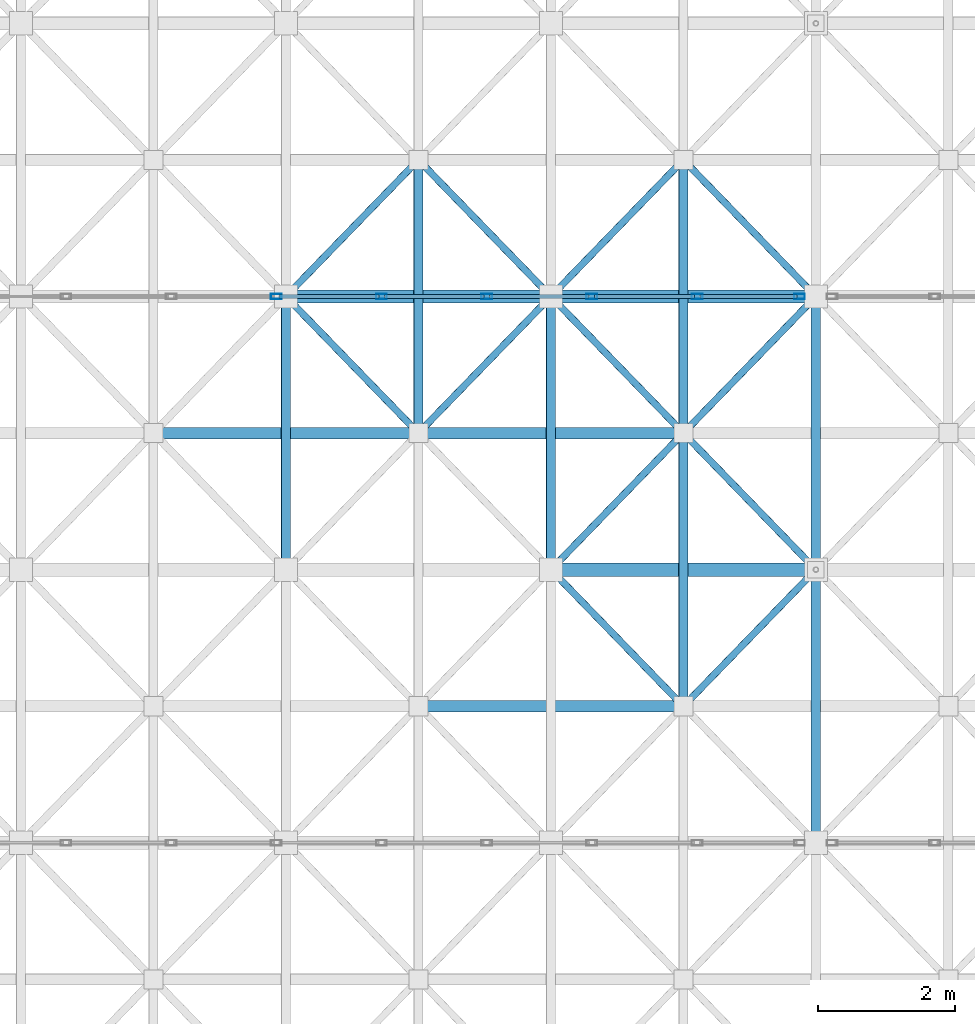
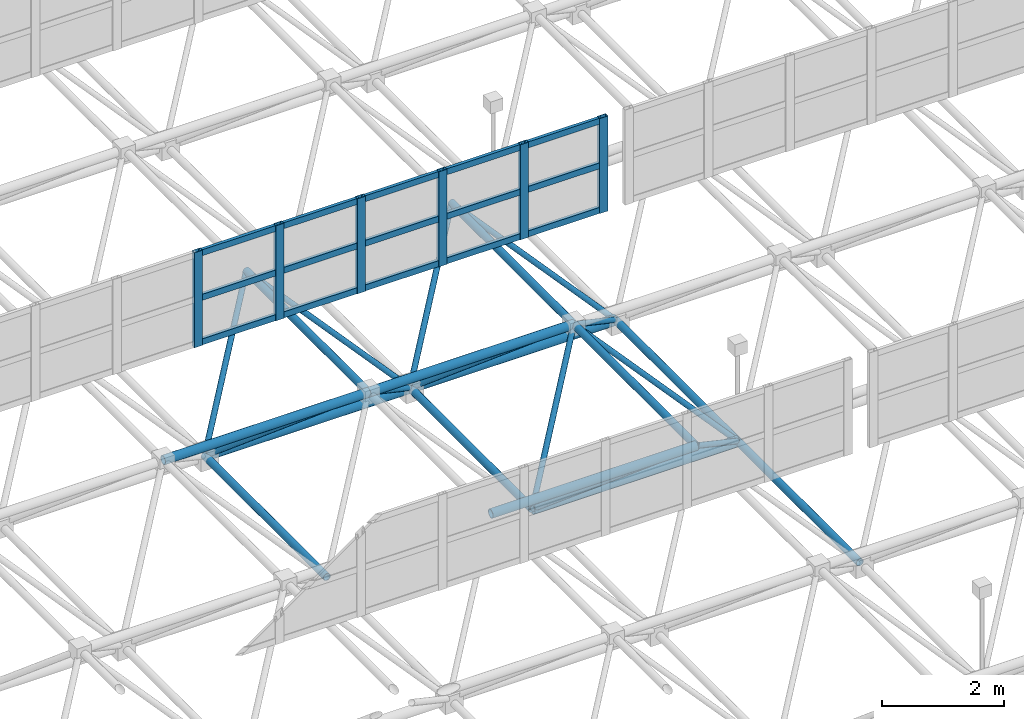
# One storey, part 56 of 195: 46 members, 1 element without a shape of its own.
"""IFC4 building model written with IfcOpenShell, lengths in metres."""

from ifc_helpers import new_model, si_unit, direction, frame, origin, origin_2d, place, context, subcontext, project, spatial, hollow_rectangle, hollow_circle, extrude, material, material_profile, profile_set, type_object, element, aggregate, save


model = new_model("IFC4")

# Units and contexts
model_context = context("Model", 3, precision=1e-05, world=origin(), true_north=direction((0.0, 1.0)))
body_context = subcontext(model_context, "Body", "Model", "MODEL_VIEW")
ifc_project = project(units=[si_unit("LENGTHUNIT", "METRE"), si_unit("AREAUNIT", "SQUARE_METRE"), si_unit("VOLUMEUNIT", "CUBIC_METRE"), si_unit("PLANEANGLEUNIT", "RADIAN"), si_unit("MASSUNIT", "GRAM", prefix="KILO")], contexts=[model_context])

# Site, building, storey
site_placement = place(None, origin())
site = spatial("IfcSite", under=ifc_project, at=site_placement, CompositionType="ELEMENT")
building_placement = place(site_placement, origin())
building = spatial("IfcBuilding", under=site, at=building_placement, Name="Kharva Crest Polytechnic", CompositionType="ELEMENT")
storey_placement = place(building_placement, frame((0.0, 0.0, 9.0)))
storey = spatial("IfcBuildingStorey", under=building, at=storey_placement, Name="L02", CompositionType="ELEMENT", Elevation=9.0)

# Curtain wall, members
ifc_material_1 = material(Name="Tempered insulated glass", Category="glass")
curtain_wall_type = type_object("IfcCurtainWallType", Name="CW-SYS-NORTHLIGHT", PredefinedType="USERDEFINED", material=ifc_material_1)
curtain_wall_placement = place(storey_placement, origin())
curtain_wall = element("IfcCurtainWall", 1, at=curtain_wall_placement, inside=storey, type_object=curtain_wall_type, Name="L02 Glazed Curtain Wall CW-193", ObjectType="CURTAIN WALL", PredefinedType="USERDEFINED")
ifc_material_2 = material(Name="Steel S355", Category="steel")
ifc_material_profile_1 = material_profile(ifc_material_2, hollow_rectangle(XDim=0.080078125, YDim=0.159912109375, WallThickness=0.0048828125, at=origin_2d()), Name="RHS 160X80X5.0")
ifc_profile_set_1 = profile_set([ifc_material_profile_1], Name="Steel S355")
member_type_1 = type_object("IfcMemberType", Name="CWM-RHS160X80", PredefinedType="MULLION", material=ifc_profile_set_1)
member_1_placement = place(storey_placement, frame((8.10009765625, 62.800048828125, 2.85009765625), z_axis=(0.0, 0.0, 1.0), x_axis=(0.0, 1.0, 0.0)))
member_1 = element("IfcMember", 2, at=member_1_placement, type_object=member_type_1, Name="CW-193 mullion 6", PredefinedType="MULLION", context=body_context, shape_type="SweptSolid", body=[
    extrude(hollow_rectangle(XDim=0.080078125, YDim=0.159912109375, WallThickness=0.0048828125, at=origin_2d()), origin(), (0.0, 0.0, 1.0), 1.89990234375),
])
member_2_placement = place(storey_placement, frame((9.639892578125, 62.800048828125, 2.85009765625), z_axis=(0.0, 0.0, 1.0), x_axis=(0.0, 1.0, 0.0)))
member_2 = element("IfcMember", 3, at=member_2_placement, type_object=member_type_1, Name="CW-193 mullion 7", PredefinedType="MULLION", context=body_context, shape_type="SweptSolid", body=[
    extrude(hollow_rectangle(XDim=0.080078125, YDim=0.159912109375, WallThickness=0.0048828125, at=origin_2d()), origin(), (0.0, 0.0, 1.0), 1.89990234375),
])
member_3_placement = place(storey_placement, frame((11.179931640625, 62.800048828125, 2.85009765625), z_axis=(0.0, 0.0, 1.0), x_axis=(0.0, 1.0, 0.0)))
member_3 = element("IfcMember", 4, at=member_3_placement, type_object=member_type_1, Name="CW-193 mullion 8", PredefinedType="MULLION", context=body_context, shape_type="SweptSolid", body=[
    extrude(hollow_rectangle(XDim=0.080078125, YDim=0.159912109375, WallThickness=0.0048828125, at=origin_2d()), origin(), (0.0, 0.0, 1.0), 1.89990234375),
])
member_4_placement = place(storey_placement, frame((12.719970703125, 62.800048828125, 2.85009765625), z_axis=(0.0, 0.0, 1.0), x_axis=(0.0, 1.0, 0.0)))
member_4 = element("IfcMember", 5, at=member_4_placement, type_object=member_type_1, Name="CW-193 mullion 9", PredefinedType="MULLION", context=body_context, shape_type="SweptSolid", body=[
    extrude(hollow_rectangle(XDim=0.080078125, YDim=0.159912109375, WallThickness=0.0048828125, at=origin_2d()), origin(), (0.0, 0.0, 1.0), 1.89990234375),
])
member_5_placement = place(storey_placement, frame((14.260009765625, 62.800048828125, 2.85009765625), z_axis=(0.0, 0.0, 1.0), x_axis=(0.0, 1.0, 0.0)))
member_5 = element("IfcMember", 6, at=member_5_placement, type_object=member_type_1, Name="CW-193 mullion 10", PredefinedType="MULLION", context=body_context, shape_type="SweptSolid", body=[
    extrude(hollow_rectangle(XDim=0.080078125, YDim=0.159912109375, WallThickness=0.0048828125, at=origin_2d()), origin(), (0.0, 0.0, 1.0), 1.89990234375),
])
member_6_placement = place(storey_placement, frame((15.760009765625, 62.800048828125, 2.85009765625), z_axis=(0.0, 0.0, 1.0), x_axis=(0.0, 1.0, 0.0)))
member_6 = element("IfcMember", 7, at=member_6_placement, type_object=member_type_1, Name="CW-193 mullion 11", PredefinedType="MULLION", context=body_context, shape_type="SweptSolid", body=[
    extrude(hollow_rectangle(XDim=0.080078125, YDim=0.159912109375, WallThickness=0.0048828125, at=origin_2d()), origin(), (0.0, 0.0, 1.0), 1.89990234375),
])
ifc_material_profile_2 = material_profile(ifc_material_2, hollow_rectangle(XDim=0.06005859375, YDim=0.1201171875, WallThickness=0.00390625, at=origin_2d()), Name="RHS 120X60X4.0")
ifc_profile_set_2 = profile_set([ifc_material_profile_2], Name="Steel S355")
member_type_2 = type_object("IfcMemberType", Name="CWT-RHS120X60", PredefinedType="USERDEFINED", material=ifc_profile_set_2)
member_7_placement = place(storey_placement, frame((8.139892578125, 62.800048828125, 2.909912109375), z_axis=(1.0, 0.0, 0.0), x_axis=(0.0, 1.0, 0.0)))
member_7 = element("IfcMember", 8, at=member_7_placement, type_object=member_type_2, Name="CW-193 transom 6.1", ObjectType="TRANSOM", PredefinedType="USERDEFINED", context=body_context, shape_type="SweptSolid", body=[
    extrude(hollow_rectangle(XDim=0.06005859375, YDim=0.1201171875, WallThickness=0.00390625, at=origin_2d()), origin(), (0.0, 0.0, 1.0), 1.460205078125),
])
member_8_placement = place(storey_placement, frame((8.139892578125, 62.800048828125, 3.800048828125), z_axis=(1.0, 0.0, 0.0), x_axis=(0.0, 1.0, 0.0)))
member_8 = element("IfcMember", 9, at=member_8_placement, type_object=member_type_2, Name="CW-193 transom 6.2", ObjectType="TRANSOM", PredefinedType="USERDEFINED", context=body_context, shape_type="SweptSolid", body=[
    extrude(hollow_rectangle(XDim=0.06005859375, YDim=0.1201171875, WallThickness=0.00390625, at=origin_2d()), origin(), (0.0, 0.0, 1.0), 1.460205078125),
])
member_9_placement = place(storey_placement, frame((8.139892578125, 62.800048828125, 4.68994140625), z_axis=(1.0, 0.0, 0.0), x_axis=(0.0, 1.0, 0.0)))
member_9 = element("IfcMember", 10, at=member_9_placement, type_object=member_type_2, Name="CW-193 transom 6.3", ObjectType="TRANSOM", PredefinedType="USERDEFINED", context=body_context, shape_type="SweptSolid", body=[
    extrude(hollow_rectangle(XDim=0.06005859375, YDim=0.1201171875, WallThickness=0.00390625, at=origin_2d()), origin(), (0.0, 0.0, 1.0), 1.460205078125),
])
member_10_placement = place(storey_placement, frame((9.679931640625, 62.800048828125, 2.909912109375), z_axis=(1.0, 0.0, 0.0), x_axis=(0.0, 1.0, 0.0)))
member_10 = element("IfcMember", 11, at=member_10_placement, type_object=member_type_2, Name="CW-193 transom 7.1", ObjectType="TRANSOM", PredefinedType="USERDEFINED", context=body_context, shape_type="SweptSolid", body=[
    extrude(hollow_rectangle(XDim=0.06005859375, YDim=0.1201171875, WallThickness=0.00390625, at=origin_2d()), origin(), (0.0, 0.0, 1.0), 1.4599609375),
])
member_11_placement = place(storey_placement, frame((9.679931640625, 62.800048828125, 3.800048828125), z_axis=(1.0, 0.0, 0.0), x_axis=(0.0, 1.0, 0.0)))
member_11 = element("IfcMember", 12, at=member_11_placement, type_object=member_type_2, Name="CW-193 transom 7.2", ObjectType="TRANSOM", PredefinedType="USERDEFINED", context=body_context, shape_type="SweptSolid", body=[
    extrude(hollow_rectangle(XDim=0.06005859375, YDim=0.1201171875, WallThickness=0.00390625, at=origin_2d()), origin(), (0.0, 0.0, 1.0), 1.4599609375),
])
member_12_placement = place(storey_placement, frame((9.679931640625, 62.800048828125, 4.68994140625), z_axis=(1.0, 0.0, 0.0), x_axis=(0.0, 1.0, 0.0)))
member_12 = element("IfcMember", 13, at=member_12_placement, type_object=member_type_2, Name="CW-193 transom 7.3", ObjectType="TRANSOM", PredefinedType="USERDEFINED", context=body_context, shape_type="SweptSolid", body=[
    extrude(hollow_rectangle(XDim=0.06005859375, YDim=0.1201171875, WallThickness=0.00390625, at=origin_2d()), origin(), (0.0, 0.0, 1.0), 1.4599609375),
])
member_13_placement = place(storey_placement, frame((11.219970703125, 62.800048828125, 2.909912109375), z_axis=(1.0, 0.0, 0.0), x_axis=(0.0, 1.0, 0.0)))
member_13 = element("IfcMember", 14, at=member_13_placement, type_object=member_type_2, Name="CW-193 transom 8.1", ObjectType="TRANSOM", PredefinedType="USERDEFINED", context=body_context, shape_type="SweptSolid", body=[
    extrude(hollow_rectangle(XDim=0.06005859375, YDim=0.1201171875, WallThickness=0.00390625, at=origin_2d()), origin(), (0.0, 0.0, 1.0), 1.4599609375),
])
member_14_placement = place(storey_placement, frame((11.219970703125, 62.800048828125, 3.800048828125), z_axis=(1.0, 0.0, 0.0), x_axis=(0.0, 1.0, 0.0)))
member_14 = element("IfcMember", 15, at=member_14_placement, type_object=member_type_2, Name="CW-193 transom 8.2", ObjectType="TRANSOM", PredefinedType="USERDEFINED", context=body_context, shape_type="SweptSolid", body=[
    extrude(hollow_rectangle(XDim=0.06005859375, YDim=0.1201171875, WallThickness=0.00390625, at=origin_2d()), origin(), (0.0, 0.0, 1.0), 1.4599609375),
])
member_15_placement = place(storey_placement, frame((11.219970703125, 62.800048828125, 4.68994140625), z_axis=(1.0, 0.0, 0.0), x_axis=(0.0, 1.0, 0.0)))
member_15 = element("IfcMember", 16, at=member_15_placement, type_object=member_type_2, Name="CW-193 transom 8.3", ObjectType="TRANSOM", PredefinedType="USERDEFINED", context=body_context, shape_type="SweptSolid", body=[
    extrude(hollow_rectangle(XDim=0.06005859375, YDim=0.1201171875, WallThickness=0.00390625, at=origin_2d()), origin(), (0.0, 0.0, 1.0), 1.4599609375),
])
member_16_placement = place(storey_placement, frame((12.760009765625, 62.800048828125, 2.909912109375), z_axis=(1.0, 0.0, 0.0), x_axis=(0.0, 1.0, 0.0)))
member_16 = element("IfcMember", 17, at=member_16_placement, type_object=member_type_2, Name="CW-193 transom 9.1", ObjectType="TRANSOM", PredefinedType="USERDEFINED", context=body_context, shape_type="SweptSolid", body=[
    extrude(hollow_rectangle(XDim=0.06005859375, YDim=0.1201171875, WallThickness=0.00390625, at=origin_2d()), origin(), (0.0, 0.0, 1.0), 1.4599609375),
])
member_17_placement = place(storey_placement, frame((12.760009765625, 62.800048828125, 3.800048828125), z_axis=(1.0, 0.0, 0.0), x_axis=(0.0, 1.0, 0.0)))
member_17 = element("IfcMember", 18, at=member_17_placement, type_object=member_type_2, Name="CW-193 transom 9.2", ObjectType="TRANSOM", PredefinedType="USERDEFINED", context=body_context, shape_type="SweptSolid", body=[
    extrude(hollow_rectangle(XDim=0.06005859375, YDim=0.1201171875, WallThickness=0.00390625, at=origin_2d()), origin(), (0.0, 0.0, 1.0), 1.4599609375),
])
member_18_placement = place(storey_placement, frame((12.760009765625, 62.800048828125, 4.68994140625), z_axis=(1.0, 0.0, 0.0), x_axis=(0.0, 1.0, 0.0)))
member_18 = element("IfcMember", 19, at=member_18_placement, type_object=member_type_2, Name="CW-193 transom 9.3", ObjectType="TRANSOM", PredefinedType="USERDEFINED", context=body_context, shape_type="SweptSolid", body=[
    extrude(hollow_rectangle(XDim=0.06005859375, YDim=0.1201171875, WallThickness=0.00390625, at=origin_2d()), origin(), (0.0, 0.0, 1.0), 1.4599609375),
])
member_19_placement = place(storey_placement, frame((14.300048828125, 62.800048828125, 2.909912109375), z_axis=(1.0, 0.0, 0.0), x_axis=(0.0, 1.0, 0.0)))
member_19 = element("IfcMember", 20, at=member_19_placement, type_object=member_type_2, Name="CW-193 transom 10.1", ObjectType="TRANSOM", PredefinedType="USERDEFINED", context=body_context, shape_type="SweptSolid", body=[
    extrude(hollow_rectangle(XDim=0.06005859375, YDim=0.1201171875, WallThickness=0.00390625, at=origin_2d()), origin(), (0.0, 0.0, 1.0), 1.419921875),
])
member_20_placement = place(storey_placement, frame((14.300048828125, 62.800048828125, 3.800048828125), z_axis=(1.0, 0.0, 0.0), x_axis=(0.0, 1.0, 0.0)))
member_20 = element("IfcMember", 21, at=member_20_placement, type_object=member_type_2, Name="CW-193 transom 10.2", ObjectType="TRANSOM", PredefinedType="USERDEFINED", context=body_context, shape_type="SweptSolid", body=[
    extrude(hollow_rectangle(XDim=0.06005859375, YDim=0.1201171875, WallThickness=0.00390625, at=origin_2d()), origin(), (0.0, 0.0, 1.0), 1.419921875),
])
member_21_placement = place(storey_placement, frame((14.300048828125, 62.800048828125, 4.68994140625), z_axis=(1.0, 0.0, 0.0), x_axis=(0.0, 1.0, 0.0)))
member_21 = element("IfcMember", 22, at=member_21_placement, type_object=member_type_2, Name="CW-193 transom 10.3", ObjectType="TRANSOM", PredefinedType="USERDEFINED", context=body_context, shape_type="SweptSolid", body=[
    extrude(hollow_rectangle(XDim=0.06005859375, YDim=0.1201171875, WallThickness=0.00390625, at=origin_2d()), origin(), (0.0, 0.0, 1.0), 1.419921875),
])
aggregate(curtain_wall, [member_1, member_2, member_3, member_4, member_5, member_6, member_7, member_8, member_9, member_10, member_11, member_12, member_13, member_14, member_15, member_16, member_17, member_18, member_19, member_20, member_21])

# Members
ifc_material_profile_3 = material_profile(ifc_material_2, hollow_circle(Radius=0.05078125, WallThickness=0.0048828125, at=origin_2d()), Name="CHS 101.6X5.0")
ifc_profile_set_3 = profile_set([ifc_material_profile_3], Name="Steel S355")
member_type_3 = type_object("IfcMemberType", Name="MEM-CHS101", PredefinedType="BRACE", material=ifc_profile_set_3)
for number, where, z_axis, x_axis, name in (
    (23, (8.239990234375, 62.800048828125, 0.60009765625), (0.584843378742, -0.602949529154, 0.542595694449), (0.717802189577, 0.696247094528, 0.0), "Space Frame Web Diagonal 583"),
    (24, (12.1201171875, 62.800048828125, 0.60009765625), (-0.584891802813, -0.602923574763, 0.542572338032), (0.717758400015, -0.696292236929, 0.0), "Space Frame Web Diagonal 584"),
    (25, (8.239990234375, 62.800048828125, 0.60009765625), (0.584843378742, 0.602949529154, 0.542595694449), (-0.717802189577, 0.696247094528, 0.0), "Space Frame Web Diagonal 585"),
    (26, (12.1201171875, 62.800048828125, 0.60009765625), (-0.584891802813, 0.602923574763, 0.542572338032), (-0.717758400015, -0.696292236929, 0.0), "Space Frame Web Diagonal 586"),
    (27, (12.1201171875, 58.800048828125, 0.60009765625), (0.584843378742, -0.602949529154, 0.542595694449), (0.717802189577, 0.696247094528, 0.0), "Space Frame Web Diagonal 635"),
    (28, (16.0, 58.800048828125, 0.60009765625), (-0.584843378742, -0.602949529154, 0.542595694449), (0.717802189577, -0.696247094528, 0.0), "Space Frame Web Diagonal 636"),
    (29, (12.1201171875, 58.800048828125, 0.60009765625), (0.584843378742, 0.602949529154, 0.542595694449), (-0.717802189577, 0.696247094528, 0.0), "Space Frame Web Diagonal 637"),
    (30, (16.0, 58.800048828125, 0.60009765625), (-0.584843378742, 0.602949529154, 0.542595694449), (-0.717802189577, -0.696247094528, 0.0), "Space Frame Web Diagonal 638"),
    (31, (12.1201171875, 62.800048828125, 0.60009765625), (0.584843378742, -0.602949529154, 0.542595694449), (0.717802189577, 0.696247094528, 0.0), "Space Frame Web Diagonal 639"),
    (32, (16.0, 62.800048828125, 0.60009765625), (-0.584843378742, -0.602949529154, 0.542595694449), (0.717802189577, -0.696247094528, 0.0), "Space Frame Web Diagonal 640"),
    (33, (12.1201171875, 62.800048828125, 0.60009765625), (0.584843378742, 0.602949529154, 0.542595694449), (-0.717802189577, 0.696247094528, 0.0), "Space Frame Web Diagonal 641"),
    (34, (16.0, 62.800048828125, 0.60009765625), (-0.584843378742, 0.602949529154, 0.542595694449), (-0.717802189577, -0.696247094528, 0.0), "Space Frame Web Diagonal 642"),
):
    element("IfcMember", number, at=place(storey_placement, frame(where, z_axis=z_axis, x_axis=x_axis)), inside=storey, type_object=member_type_3, Name=name, PredefinedType="BRACE", context=body_context, shape_type="SweptSolid", body=[
        extrude(hollow_circle(Radius=0.05078125, WallThickness=0.0048828125, at=origin_2d()), origin(), (0.0, 0.0, 1.0), 3.317138671875),
    ])
ifc_material_profile_4 = material_profile(ifc_material_2, hollow_circle(Radius=0.06982421875, WallThickness=0.00634765625, at=origin_2d()), Name="CHS 139.7X6.3")
ifc_profile_set_4 = profile_set([ifc_material_profile_4], Name="Steel S355")
member_type_4 = type_object("IfcMemberType", Name="MEM-CHS139", PredefinedType="CHORD", material=ifc_profile_set_4)
for number, where, z_axis, x_axis, name in (
    (35, (8.239990234375, 58.800048828125, 0.60009765625), (0.0, 1.0, 0.0), (-1.0, 0.0, 0.0), "Space Frame Bottom Chord Y 154"),
    (36, (12.1201171875, 58.800048828125, 0.60009765625), (0.0, 1.0, 0.0), (-1.0, 0.0, 0.0), "Space Frame Bottom Chord Y 168"),
    (37, (16.0, 54.800048828125, 0.60009765625), (0.0, 1.0, 0.0), (-1.0, 0.0, 0.0), "Space Frame Bottom Chord Y 181"),
    (38, (16.0, 58.800048828125, 0.60009765625), (0.0, 1.0, 0.0), (-1.0, 0.0, 0.0), "Space Frame Bottom Chord Y 182"),
    (39, (10.179931640625, 60.800048828125, 2.39990234375), (0.0, 1.0, 0.0), (-1.0, 0.0, 0.0), "Space Frame Top Chord Y 376"),
    (40, (14.06005859375, 56.800048828125, 2.39990234375), (0.0, 1.0, 0.0), (-1.0, 0.0, 0.0), "Space Frame Top Chord Y 388"),
    (41, (14.06005859375, 60.800048828125, 2.39990234375), (0.0, 1.0, 0.0), (-1.0, 0.0, 0.0), "Space Frame Top Chord Y 389"),
):
    element("IfcMember", number, at=place(storey_placement, frame(where, z_axis=z_axis, x_axis=x_axis)), inside=storey, type_object=member_type_4, Name=name, PredefinedType="CHORD", context=body_context, shape_type="SweptSolid", body=[
        extrude(hollow_circle(Radius=0.06982421875, WallThickness=0.00634765625, at=origin_2d()), origin(), (0.0, 0.0, 1.0), 4.0),
    ])
ifc_material_profile_5 = material_profile(ifc_material_2, hollow_circle(Radius=0.084228515625, WallThickness=0.008056640625, at=origin_2d()), Name="CHS 168.3X8.0")
ifc_profile_set_5 = profile_set([ifc_material_profile_5], Name="Steel S355")
member_type_5 = type_object("IfcMemberType", Name="MEM-CHS168", PredefinedType="CHORD", material=ifc_profile_set_5)
member_22_placement = place(storey_placement, frame((10.179931640625, 56.800048828125, 2.39990234375), z_axis=(1.0, 0.0, 0.0), x_axis=(0.0, 1.0, 0.0)))
element("IfcMember", 42, at=member_22_placement, inside=storey, type_object=member_type_5, Name="Space Frame Top Chord X 277", PredefinedType="CHORD", context=body_context, shape_type="SweptSolid", body=[
    extrude(hollow_circle(Radius=0.084228515625, WallThickness=0.008056640625, at=origin_2d()), origin(), (0.0, 0.0, 1.0), 3.880126953125),
])
member_23_placement = place(storey_placement, frame((6.300048828125, 60.800048828125, 2.39990234375), z_axis=(1.0, 0.0, 0.0), x_axis=(0.0, 1.0, 0.0)))
element("IfcMember", 43, at=member_23_placement, inside=storey, type_object=member_type_5, Name="Space Frame Top Chord X 283", PredefinedType="CHORD", context=body_context, shape_type="SweptSolid", body=[
    extrude(hollow_circle(Radius=0.084228515625, WallThickness=0.008056640625, at=origin_2d()), origin(), (0.0, 0.0, 1.0), 3.8798828125),
])
member_24_placement = place(storey_placement, frame((10.179931640625, 60.800048828125, 2.39990234375), z_axis=(1.0, 0.0, 0.0), x_axis=(0.0, 1.0, 0.0)))
element("IfcMember", 44, at=member_24_placement, inside=storey, type_object=member_type_5, Name="Space Frame Top Chord X 284", PredefinedType="CHORD", context=body_context, shape_type="SweptSolid", body=[
    extrude(hollow_circle(Radius=0.084228515625, WallThickness=0.008056640625, at=origin_2d()), origin(), (0.0, 0.0, 1.0), 3.880126953125),
])
ifc_material_profile_6 = material_profile(ifc_material_2, hollow_circle(Radius=0.096923828125, WallThickness=0.008056640625, at=origin_2d()), Name="CHS 193.7X8.0")
ifc_profile_set_6 = profile_set([ifc_material_profile_6], Name="Steel S355")
member_type_6 = type_object("IfcMemberType", Name="MEM-CHS193", PredefinedType="CHORD", material=ifc_profile_set_6)
member_25_placement = place(storey_placement, frame((12.1201171875, 58.800048828125, 0.60009765625), z_axis=(1.0, 0.0, 0.0), x_axis=(0.0, 1.0, 0.0)))
element("IfcMember", 45, at=member_25_placement, inside=storey, type_object=member_type_6, Name="Space Frame Bottom Chord X 44", PredefinedType="CHORD", context=body_context, shape_type="SweptSolid", body=[
    extrude(hollow_circle(Radius=0.096923828125, WallThickness=0.008056640625, at=origin_2d()), origin(), (0.0, 0.0, 1.0), 3.8798828125),
])
member_26_placement = place(storey_placement, frame((8.239990234375, 62.800048828125, 0.60009765625), z_axis=(1.0, 0.0, 0.0), x_axis=(0.0, 1.0, 0.0)))
element("IfcMember", 46, at=member_26_placement, inside=storey, type_object=member_type_6, Name="Space Frame Bottom Chord X 51", PredefinedType="CHORD", context=body_context, shape_type="SweptSolid", body=[
    extrude(hollow_circle(Radius=0.096923828125, WallThickness=0.008056640625, at=origin_2d()), origin(), (0.0, 0.0, 1.0), 3.880126953125),
])
member_27_placement = place(storey_placement, frame((12.1201171875, 62.800048828125, 0.60009765625), z_axis=(1.0, 0.0, 0.0), x_axis=(0.0, 1.0, 0.0)))
element("IfcMember", 47, at=member_27_placement, inside=storey, type_object=member_type_6, Name="Space Frame Bottom Chord X 52", PredefinedType="CHORD", context=body_context, shape_type="SweptSolid", body=[
    extrude(hollow_circle(Radius=0.096923828125, WallThickness=0.008056640625, at=origin_2d()), origin(), (0.0, 0.0, 1.0), 3.8798828125),
])

save(model, "model.ifc")
